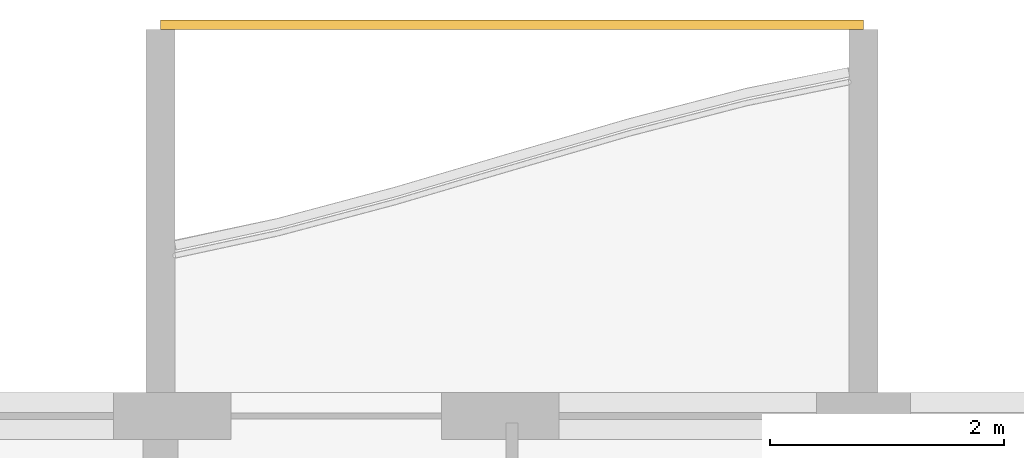
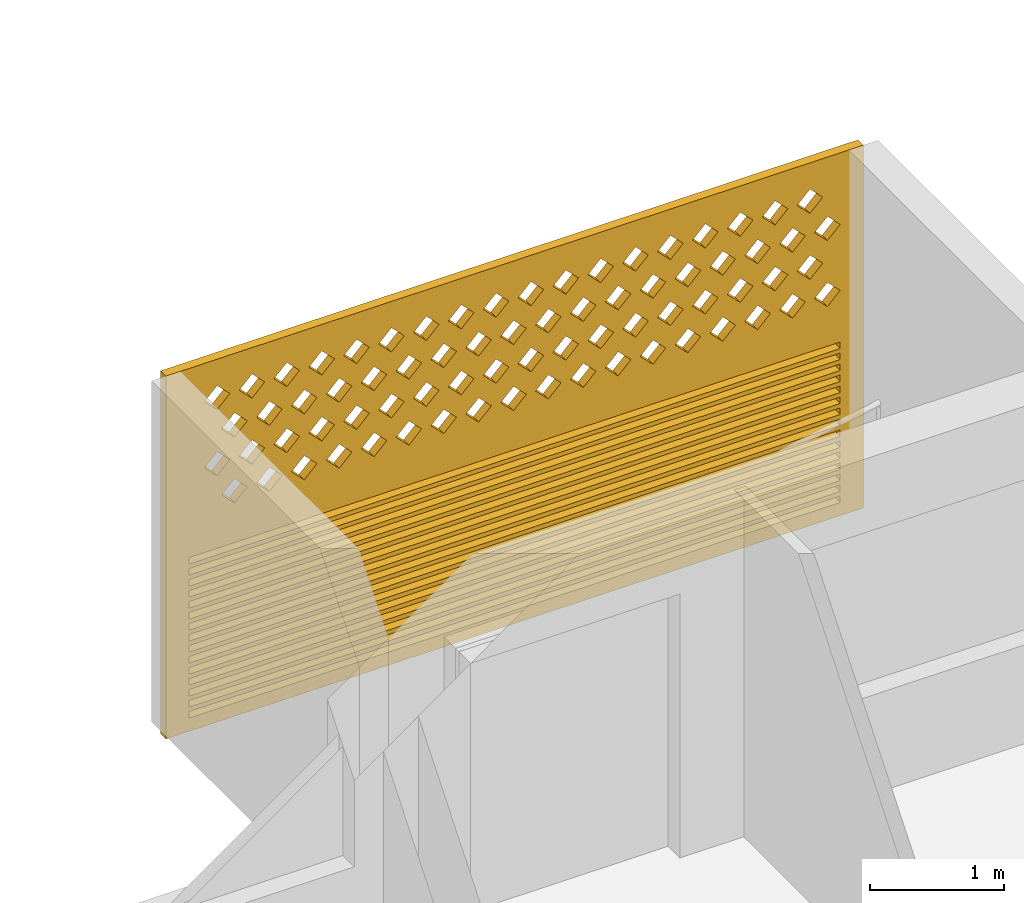
# One storey, part 26 of 32: 1 covering.
"""IFC4 building model written with IfcOpenShell, lengths in metres."""

from ifc_helpers import new_model, si_unit, direction, frame, origin, place, context, subcontext, project, spatial, polyline, outline, extrude, source, transform, mapped, material, material_profile, profile_set, type_object, element, save


model = new_model("IFC4")

# Units and contexts
model_context = context("Model", 3, precision=1e-05, world=origin(), true_north=direction((0.0, 1.0)))
body_context = subcontext(model_context, "Body", "Model", "MODEL_VIEW")
ifc_project = project(units=[si_unit("LENGTHUNIT", "METRE"), si_unit("AREAUNIT", "SQUARE_METRE"), si_unit("VOLUMEUNIT", "CUBIC_METRE"), si_unit("PLANEANGLEUNIT", "RADIAN"), si_unit("MASSUNIT", "GRAM", prefix="KILO")], contexts=[model_context])

# Site, building, storey
site_placement = place(None, origin())
site = spatial("IfcSite", under=ifc_project, at=site_placement, CompositionType="ELEMENT")
building_placement = place(site_placement, origin())
building = spatial("IfcBuilding", under=site, at=building_placement, Name="Poui Terraces", CompositionType="ELEMENT")
storey_placement = place(building_placement, frame((0.0, 0.0, 129.0)))
storey = spatial("IfcBuildingStorey", under=building, at=storey_placement, Name="L35", CompositionType="ELEMENT", Elevation=129.0)

# Covering
ifc_material = material(Name="Terracotta screen", Category="masonry")
ifc_material_profile = material_profile(ifc_material, outline(polyline([(-3.0, -1.64990234375), (3.0, -1.64990234375), (3.0, 1.64990234375), (-3.0, 1.64990234375), (-3.0, -1.64990234375)]), holes=[polyline([(-2.800048828125, 0.39990234375), (-2.68994140625, 0.2900390625), (-2.580078125, 0.39990234375), (-2.68994140625, 0.510009765625), (-2.800048828125, 0.39990234375)]), polyline([(-2.5, 0.39990234375), (-2.389892578125, 0.2900390625), (-2.280029296875, 0.39990234375), (-2.389892578125, 0.510009765625), (-2.5, 0.39990234375)]), polyline([(-2.199951171875, 0.39990234375), (-2.090087890625, 0.2900390625), (-1.97998046875, 0.39990234375), (-2.090087890625, 0.510009765625), (-2.199951171875, 0.39990234375)]), polyline([(-1.89990234375, 0.39990234375), (-1.7900390625, 0.2900390625), (-1.679931640625, 0.39990234375), (-1.7900390625, 0.510009765625), (-1.89990234375, 0.39990234375)]), polyline([(-1.60009765625, 0.39990234375), (-1.489990234375, 0.2900390625), (-1.3798828125, 0.39990234375), (-1.489990234375, 0.510009765625), (-1.60009765625, 0.39990234375)]), polyline([(-1.300048828125, 0.39990234375), (-1.18994140625, 0.2900390625), (-1.080078125, 0.39990234375), (-1.18994140625, 0.510009765625), (-1.300048828125, 0.39990234375)]), polyline([(-1.0, 0.39990234375), (-0.889892578125, 0.2900390625), (-0.780029296875, 0.39990234375), (-0.889892578125, 0.510009765625), (-1.0, 0.39990234375)]), polyline([(-0.699951171875, 0.39990234375), (-0.590087890625, 0.2900390625), (-0.47998046875, 0.39990234375), (-0.590087890625, 0.510009765625), (-0.699951171875, 0.39990234375)]), polyline([(-0.39990234375, 0.39990234375), (-0.2900390625, 0.2900390625), (-0.179931640625, 0.39990234375), (-0.2900390625, 0.510009765625), (-0.39990234375, 0.39990234375)]), polyline([(-0.10009765625, 0.39990234375), (0.010009765625, 0.2900390625), (0.1201171875, 0.39990234375), (0.010009765625, 0.510009765625), (-0.10009765625, 0.39990234375)]), polyline([(0.199951171875, 0.39990234375), (0.31005859375, 0.2900390625), (0.419921875, 0.39990234375), (0.31005859375, 0.510009765625), (0.199951171875, 0.39990234375)]), polyline([(0.5, 0.39990234375), (0.610107421875, 0.2900390625), (0.719970703125, 0.39990234375), (0.610107421875, 0.510009765625), (0.5, 0.39990234375)]), polyline([(0.800048828125, 0.39990234375), (0.909912109375, 0.2900390625), (1.02001953125, 0.39990234375), (0.909912109375, 0.510009765625), (0.800048828125, 0.39990234375)]), polyline([(1.10009765625, 0.39990234375), (1.2099609375, 0.2900390625), (1.320068359375, 0.39990234375), (1.2099609375, 0.510009765625), (1.10009765625, 0.39990234375)]), polyline([(1.39990234375, 0.39990234375), (1.510009765625, 0.2900390625), (1.6201171875, 0.39990234375), (1.510009765625, 0.510009765625), (1.39990234375, 0.39990234375)]), polyline([(1.699951171875, 0.39990234375), (1.81005859375, 0.2900390625), (1.919921875, 0.39990234375), (1.81005859375, 0.510009765625), (1.699951171875, 0.39990234375)]), polyline([(2.0, 0.39990234375), (2.110107421875, 0.2900390625), (2.219970703125, 0.39990234375), (2.110107421875, 0.510009765625), (2.0, 0.39990234375)]), polyline([(2.300048828125, 0.39990234375), (2.409912109375, 0.2900390625), (2.52001953125, 0.39990234375), (2.409912109375, 0.510009765625), (2.300048828125, 0.39990234375)]), polyline([(-2.64990234375, 0.699951171875), (-2.5400390625, 0.590087890625), (-2.429931640625, 0.699951171875), (-2.5400390625, 0.81005859375), (-2.64990234375, 0.699951171875)]), polyline([(-2.35009765625, 0.699951171875), (-2.239990234375, 0.590087890625), (-2.1298828125, 0.699951171875), (-2.239990234375, 0.81005859375), (-2.35009765625, 0.699951171875)]), polyline([(-2.050048828125, 0.699951171875), (-1.93994140625, 0.590087890625), (-1.830078125, 0.699951171875), (-1.93994140625, 0.81005859375), (-2.050048828125, 0.699951171875)]), polyline([(-1.75, 0.699951171875), (-1.639892578125, 0.590087890625), (-1.530029296875, 0.699951171875), (-1.639892578125, 0.81005859375), (-1.75, 0.699951171875)]), polyline([(-1.449951171875, 0.699951171875), (-1.340087890625, 0.590087890625), (-1.22998046875, 0.699951171875), (-1.340087890625, 0.81005859375), (-1.449951171875, 0.699951171875)]), polyline([(-1.14990234375, 0.699951171875), (-1.0400390625, 0.590087890625), (-0.929931640625, 0.699951171875), (-1.0400390625, 0.81005859375), (-1.14990234375, 0.699951171875)]), polyline([(-0.85009765625, 0.699951171875), (-0.739990234375, 0.590087890625), (-0.6298828125, 0.699951171875), (-0.739990234375, 0.81005859375), (-0.85009765625, 0.699951171875)]), polyline([(-0.550048828125, 0.699951171875), (-0.43994140625, 0.590087890625), (-0.330078125, 0.699951171875), (-0.43994140625, 0.81005859375), (-0.550048828125, 0.699951171875)]), polyline([(-0.25, 0.699951171875), (-0.139892578125, 0.590087890625), (-0.030029296875, 0.699951171875), (-0.139892578125, 0.81005859375), (-0.25, 0.699951171875)]), polyline([(0.050048828125, 0.699951171875), (0.159912109375, 0.590087890625), (0.27001953125, 0.699951171875), (0.159912109375, 0.81005859375), (0.050048828125, 0.699951171875)]), polyline([(0.35009765625, 0.699951171875), (0.4599609375, 0.590087890625), (0.570068359375, 0.699951171875), (0.4599609375, 0.81005859375), (0.35009765625, 0.699951171875)]), polyline([(0.64990234375, 0.699951171875), (0.760009765625, 0.590087890625), (0.8701171875, 0.699951171875), (0.760009765625, 0.81005859375), (0.64990234375, 0.699951171875)]), polyline([(0.949951171875, 0.699951171875), (1.06005859375, 0.590087890625), (1.169921875, 0.699951171875), (1.06005859375, 0.81005859375), (0.949951171875, 0.699951171875)]), polyline([(1.25, 0.699951171875), (1.360107421875, 0.590087890625), (1.469970703125, 0.699951171875), (1.360107421875, 0.81005859375), (1.25, 0.699951171875)]), polyline([(1.550048828125, 0.699951171875), (1.659912109375, 0.590087890625), (1.77001953125, 0.699951171875), (1.659912109375, 0.81005859375), (1.550048828125, 0.699951171875)]), polyline([(1.85009765625, 0.699951171875), (1.9599609375, 0.590087890625), (2.070068359375, 0.699951171875), (1.9599609375, 0.81005859375), (1.85009765625, 0.699951171875)]), polyline([(2.14990234375, 0.699951171875), (2.260009765625, 0.590087890625), (2.3701171875, 0.699951171875), (2.260009765625, 0.81005859375), (2.14990234375, 0.699951171875)]), polyline([(2.449951171875, 0.699951171875), (2.56005859375, 0.590087890625), (2.669921875, 0.699951171875), (2.56005859375, 0.81005859375), (2.449951171875, 0.699951171875)]), polyline([(-2.800048828125, 1.0), (-2.68994140625, 0.889892578125), (-2.580078125, 1.0), (-2.68994140625, 1.110107421875), (-2.800048828125, 1.0)]), polyline([(-2.5, 1.0), (-2.389892578125, 0.889892578125), (-2.280029296875, 1.0), (-2.389892578125, 1.110107421875), (-2.5, 1.0)]), polyline([(-2.199951171875, 1.0), (-2.090087890625, 0.889892578125), (-1.97998046875, 1.0), (-2.090087890625, 1.110107421875), (-2.199951171875, 1.0)]), polyline([(-1.89990234375, 1.0), (-1.7900390625, 0.889892578125), (-1.679931640625, 1.0), (-1.7900390625, 1.110107421875), (-1.89990234375, 1.0)]), polyline([(-1.60009765625, 1.0), (-1.489990234375, 0.889892578125), (-1.3798828125, 1.0), (-1.489990234375, 1.110107421875), (-1.60009765625, 1.0)]), polyline([(-1.300048828125, 1.0), (-1.18994140625, 0.889892578125), (-1.080078125, 1.0), (-1.18994140625, 1.110107421875), (-1.300048828125, 1.0)]), polyline([(-1.0, 1.0), (-0.889892578125, 0.889892578125), (-0.780029296875, 1.0), (-0.889892578125, 1.110107421875), (-1.0, 1.0)]), polyline([(-0.699951171875, 1.0), (-0.590087890625, 0.889892578125), (-0.47998046875, 1.0), (-0.590087890625, 1.110107421875), (-0.699951171875, 1.0)]), polyline([(-0.39990234375, 1.0), (-0.2900390625, 0.889892578125), (-0.179931640625, 1.0), (-0.2900390625, 1.110107421875), (-0.39990234375, 1.0)]), polyline([(-0.10009765625, 1.0), (0.010009765625, 0.889892578125), (0.1201171875, 1.0), (0.010009765625, 1.110107421875), (-0.10009765625, 1.0)]), polyline([(0.199951171875, 1.0), (0.31005859375, 0.889892578125), (0.419921875, 1.0), (0.31005859375, 1.110107421875), (0.199951171875, 1.0)]), polyline([(0.5, 1.0), (0.610107421875, 0.889892578125), (0.719970703125, 1.0), (0.610107421875, 1.110107421875), (0.5, 1.0)]), polyline([(0.800048828125, 1.0), (0.909912109375, 0.889892578125), (1.02001953125, 1.0), (0.909912109375, 1.110107421875), (0.800048828125, 1.0)]), polyline([(1.10009765625, 1.0), (1.2099609375, 0.889892578125), (1.320068359375, 1.0), (1.2099609375, 1.110107421875), (1.10009765625, 1.0)]), polyline([(1.39990234375, 1.0), (1.510009765625, 0.889892578125), (1.6201171875, 1.0), (1.510009765625, 1.110107421875), (1.39990234375, 1.0)]), polyline([(1.699951171875, 1.0), (1.81005859375, 0.889892578125), (1.919921875, 1.0), (1.81005859375, 1.110107421875), (1.699951171875, 1.0)]), polyline([(2.0, 1.0), (2.110107421875, 0.889892578125), (2.219970703125, 1.0), (2.110107421875, 1.110107421875), (2.0, 1.0)]), polyline([(2.300048828125, 1.0), (2.409912109375, 0.889892578125), (2.52001953125, 1.0), (2.409912109375, 1.110107421875), (2.300048828125, 1.0)]), polyline([(-2.64990234375, 1.300048828125), (-2.5400390625, 1.18994140625), (-2.429931640625, 1.300048828125), (-2.5400390625, 1.409912109375), (-2.64990234375, 1.300048828125)]), polyline([(-2.35009765625, 1.300048828125), (-2.239990234375, 1.18994140625), (-2.1298828125, 1.300048828125), (-2.239990234375, 1.409912109375), (-2.35009765625, 1.300048828125)]), polyline([(-2.050048828125, 1.300048828125), (-1.93994140625, 1.18994140625), (-1.830078125, 1.300048828125), (-1.93994140625, 1.409912109375), (-2.050048828125, 1.300048828125)]), polyline([(-1.75, 1.300048828125), (-1.639892578125, 1.18994140625), (-1.530029296875, 1.300048828125), (-1.639892578125, 1.409912109375), (-1.75, 1.300048828125)]), polyline([(-1.449951171875, 1.300048828125), (-1.340087890625, 1.18994140625), (-1.22998046875, 1.300048828125), (-1.340087890625, 1.409912109375), (-1.449951171875, 1.300048828125)]), polyline([(-1.14990234375, 1.300048828125), (-1.0400390625, 1.18994140625), (-0.929931640625, 1.300048828125), (-1.0400390625, 1.409912109375), (-1.14990234375, 1.300048828125)]), polyline([(-0.85009765625, 1.300048828125), (-0.739990234375, 1.18994140625), (-0.6298828125, 1.300048828125), (-0.739990234375, 1.409912109375), (-0.85009765625, 1.300048828125)]), polyline([(-0.550048828125, 1.300048828125), (-0.43994140625, 1.18994140625), (-0.330078125, 1.300048828125), (-0.43994140625, 1.409912109375), (-0.550048828125, 1.300048828125)]), polyline([(-0.25, 1.300048828125), (-0.139892578125, 1.18994140625), (-0.030029296875, 1.300048828125), (-0.139892578125, 1.409912109375), (-0.25, 1.300048828125)]), polyline([(0.050048828125, 1.300048828125), (0.159912109375, 1.18994140625), (0.27001953125, 1.300048828125), (0.159912109375, 1.409912109375), (0.050048828125, 1.300048828125)]), polyline([(0.35009765625, 1.300048828125), (0.4599609375, 1.18994140625), (0.570068359375, 1.300048828125), (0.4599609375, 1.409912109375), (0.35009765625, 1.300048828125)]), polyline([(0.64990234375, 1.300048828125), (0.760009765625, 1.18994140625), (0.8701171875, 1.300048828125), (0.760009765625, 1.409912109375), (0.64990234375, 1.300048828125)]), polyline([(0.949951171875, 1.300048828125), (1.06005859375, 1.18994140625), (1.169921875, 1.300048828125), (1.06005859375, 1.409912109375), (0.949951171875, 1.300048828125)]), polyline([(1.25, 1.300048828125), (1.360107421875, 1.18994140625), (1.469970703125, 1.300048828125), (1.360107421875, 1.409912109375), (1.25, 1.300048828125)]), polyline([(1.550048828125, 1.300048828125), (1.659912109375, 1.18994140625), (1.77001953125, 1.300048828125), (1.659912109375, 1.409912109375), (1.550048828125, 1.300048828125)]), polyline([(1.85009765625, 1.300048828125), (1.9599609375, 1.18994140625), (2.070068359375, 1.300048828125), (1.9599609375, 1.409912109375), (1.85009765625, 1.300048828125)]), polyline([(2.14990234375, 1.300048828125), (2.260009765625, 1.18994140625), (2.3701171875, 1.300048828125), (2.260009765625, 1.409912109375), (2.14990234375, 1.300048828125)]), polyline([(2.449951171875, 1.300048828125), (2.56005859375, 1.18994140625), (2.669921875, 1.300048828125), (2.56005859375, 1.409912109375), (2.449951171875, 1.300048828125)]), polyline([(-2.800048828125, -1.530029296875), (2.800048828125, -1.530029296875), (2.800048828125, -1.469970703125), (-2.800048828125, -1.469970703125), (-2.800048828125, -1.530029296875)]), polyline([(-2.800048828125, -1.429931640625), (2.800048828125, -1.429931640625), (2.800048828125, -1.3701171875), (-2.800048828125, -1.3701171875), (-2.800048828125, -1.429931640625)]), polyline([(-2.800048828125, -1.330078125), (2.800048828125, -1.330078125), (2.800048828125, -1.27001953125), (-2.800048828125, -1.27001953125), (-2.800048828125, -1.330078125)]), polyline([(-2.800048828125, -1.22998046875), (2.800048828125, -1.22998046875), (2.800048828125, -1.169921875), (-2.800048828125, -1.169921875), (-2.800048828125, -1.22998046875)]), polyline([(-2.800048828125, -1.1298828125), (2.800048828125, -1.1298828125), (2.800048828125, -1.070068359375), (-2.800048828125, -1.070068359375), (-2.800048828125, -1.1298828125)]), polyline([(-2.800048828125, -1.030029296875), (2.800048828125, -1.030029296875), (2.800048828125, -0.969970703125), (-2.800048828125, -0.969970703125), (-2.800048828125, -1.030029296875)]), polyline([(-2.800048828125, -0.929931640625), (2.800048828125, -0.929931640625), (2.800048828125, -0.8701171875), (-2.800048828125, -0.8701171875), (-2.800048828125, -0.929931640625)]), polyline([(-2.800048828125, -0.830078125), (2.800048828125, -0.830078125), (2.800048828125, -0.77001953125), (-2.800048828125, -0.77001953125), (-2.800048828125, -0.830078125)]), polyline([(-2.800048828125, -0.72998046875), (2.800048828125, -0.72998046875), (2.800048828125, -0.669921875), (-2.800048828125, -0.669921875), (-2.800048828125, -0.72998046875)]), polyline([(-2.800048828125, -0.6298828125), (2.800048828125, -0.6298828125), (2.800048828125, -0.570068359375), (-2.800048828125, -0.570068359375), (-2.800048828125, -0.6298828125)]), polyline([(-2.800048828125, -0.530029296875), (2.800048828125, -0.530029296875), (2.800048828125, -0.469970703125), (-2.800048828125, -0.469970703125), (-2.800048828125, -0.530029296875)]), polyline([(-2.800048828125, -0.429931640625), (2.800048828125, -0.429931640625), (2.800048828125, -0.3701171875), (-2.800048828125, -0.3701171875), (-2.800048828125, -0.429931640625)]), polyline([(-2.800048828125, -0.330078125), (2.800048828125, -0.330078125), (2.800048828125, -0.27001953125), (-2.800048828125, -0.27001953125), (-2.800048828125, -0.330078125)]), polyline([(-2.800048828125, -0.22998046875), (2.800048828125, -0.22998046875), (2.800048828125, -0.169921875), (-2.800048828125, -0.169921875), (-2.800048828125, -0.22998046875)]), polyline([(-2.800048828125, -0.1298828125), (2.800048828125, -0.1298828125), (2.800048828125, -0.070068359375), (-2.800048828125, -0.070068359375), (-2.800048828125, -0.1298828125)])]), Name="TERRACOTTA SCREEN AND JALOUSIE LOUVRE 6000X3300")
ifc_profile_set = profile_set([ifc_material_profile], Name="Terracotta screen")
covering_type = type_object("IfcCoveringType", Name="TERRACOTTA SCREEN AND JALOUSIE LOUVRE 6000X3300", PredefinedType="CLADDING", material=ifc_profile_set)
shared_shape = source(origin(), body_context, "Body", "SweptSolid", [
    extrude(outline(polyline([(-3.0, -1.64990234375), (3.0, -1.64990234375), (3.0, 1.64990234375), (-3.0, 1.64990234375), (-3.0, -1.64990234375)]), holes=[polyline([(-2.800048828125, 0.39990234375), (-2.68994140625, 0.2900390625), (-2.580078125, 0.39990234375), (-2.68994140625, 0.510009765625), (-2.800048828125, 0.39990234375)]), polyline([(-2.5, 0.39990234375), (-2.389892578125, 0.2900390625), (-2.280029296875, 0.39990234375), (-2.389892578125, 0.510009765625), (-2.5, 0.39990234375)]), polyline([(-2.199951171875, 0.39990234375), (-2.090087890625, 0.2900390625), (-1.97998046875, 0.39990234375), (-2.090087890625, 0.510009765625), (-2.199951171875, 0.39990234375)]), polyline([(-1.89990234375, 0.39990234375), (-1.7900390625, 0.2900390625), (-1.679931640625, 0.39990234375), (-1.7900390625, 0.510009765625), (-1.89990234375, 0.39990234375)]), polyline([(-1.60009765625, 0.39990234375), (-1.489990234375, 0.2900390625), (-1.3798828125, 0.39990234375), (-1.489990234375, 0.510009765625), (-1.60009765625, 0.39990234375)]), polyline([(-1.300048828125, 0.39990234375), (-1.18994140625, 0.2900390625), (-1.080078125, 0.39990234375), (-1.18994140625, 0.510009765625), (-1.300048828125, 0.39990234375)]), polyline([(-1.0, 0.39990234375), (-0.889892578125, 0.2900390625), (-0.780029296875, 0.39990234375), (-0.889892578125, 0.510009765625), (-1.0, 0.39990234375)]), polyline([(-0.699951171875, 0.39990234375), (-0.590087890625, 0.2900390625), (-0.47998046875, 0.39990234375), (-0.590087890625, 0.510009765625), (-0.699951171875, 0.39990234375)]), polyline([(-0.39990234375, 0.39990234375), (-0.2900390625, 0.2900390625), (-0.179931640625, 0.39990234375), (-0.2900390625, 0.510009765625), (-0.39990234375, 0.39990234375)]), polyline([(-0.10009765625, 0.39990234375), (0.010009765625, 0.2900390625), (0.1201171875, 0.39990234375), (0.010009765625, 0.510009765625), (-0.10009765625, 0.39990234375)]), polyline([(0.199951171875, 0.39990234375), (0.31005859375, 0.2900390625), (0.419921875, 0.39990234375), (0.31005859375, 0.510009765625), (0.199951171875, 0.39990234375)]), polyline([(0.5, 0.39990234375), (0.610107421875, 0.2900390625), (0.719970703125, 0.39990234375), (0.610107421875, 0.510009765625), (0.5, 0.39990234375)]), polyline([(0.800048828125, 0.39990234375), (0.909912109375, 0.2900390625), (1.02001953125, 0.39990234375), (0.909912109375, 0.510009765625), (0.800048828125, 0.39990234375)]), polyline([(1.10009765625, 0.39990234375), (1.2099609375, 0.2900390625), (1.320068359375, 0.39990234375), (1.2099609375, 0.510009765625), (1.10009765625, 0.39990234375)]), polyline([(1.39990234375, 0.39990234375), (1.510009765625, 0.2900390625), (1.6201171875, 0.39990234375), (1.510009765625, 0.510009765625), (1.39990234375, 0.39990234375)]), polyline([(1.699951171875, 0.39990234375), (1.81005859375, 0.2900390625), (1.919921875, 0.39990234375), (1.81005859375, 0.510009765625), (1.699951171875, 0.39990234375)]), polyline([(2.0, 0.39990234375), (2.110107421875, 0.2900390625), (2.219970703125, 0.39990234375), (2.110107421875, 0.510009765625), (2.0, 0.39990234375)]), polyline([(2.300048828125, 0.39990234375), (2.409912109375, 0.2900390625), (2.52001953125, 0.39990234375), (2.409912109375, 0.510009765625), (2.300048828125, 0.39990234375)]), polyline([(-2.64990234375, 0.699951171875), (-2.5400390625, 0.590087890625), (-2.429931640625, 0.699951171875), (-2.5400390625, 0.81005859375), (-2.64990234375, 0.699951171875)]), polyline([(-2.35009765625, 0.699951171875), (-2.239990234375, 0.590087890625), (-2.1298828125, 0.699951171875), (-2.239990234375, 0.81005859375), (-2.35009765625, 0.699951171875)]), polyline([(-2.050048828125, 0.699951171875), (-1.93994140625, 0.590087890625), (-1.830078125, 0.699951171875), (-1.93994140625, 0.81005859375), (-2.050048828125, 0.699951171875)]), polyline([(-1.75, 0.699951171875), (-1.639892578125, 0.590087890625), (-1.530029296875, 0.699951171875), (-1.639892578125, 0.81005859375), (-1.75, 0.699951171875)]), polyline([(-1.449951171875, 0.699951171875), (-1.340087890625, 0.590087890625), (-1.22998046875, 0.699951171875), (-1.340087890625, 0.81005859375), (-1.449951171875, 0.699951171875)]), polyline([(-1.14990234375, 0.699951171875), (-1.0400390625, 0.590087890625), (-0.929931640625, 0.699951171875), (-1.0400390625, 0.81005859375), (-1.14990234375, 0.699951171875)]), polyline([(-0.85009765625, 0.699951171875), (-0.739990234375, 0.590087890625), (-0.6298828125, 0.699951171875), (-0.739990234375, 0.81005859375), (-0.85009765625, 0.699951171875)]), polyline([(-0.550048828125, 0.699951171875), (-0.43994140625, 0.590087890625), (-0.330078125, 0.699951171875), (-0.43994140625, 0.81005859375), (-0.550048828125, 0.699951171875)]), polyline([(-0.25, 0.699951171875), (-0.139892578125, 0.590087890625), (-0.030029296875, 0.699951171875), (-0.139892578125, 0.81005859375), (-0.25, 0.699951171875)]), polyline([(0.050048828125, 0.699951171875), (0.159912109375, 0.590087890625), (0.27001953125, 0.699951171875), (0.159912109375, 0.81005859375), (0.050048828125, 0.699951171875)]), polyline([(0.35009765625, 0.699951171875), (0.4599609375, 0.590087890625), (0.570068359375, 0.699951171875), (0.4599609375, 0.81005859375), (0.35009765625, 0.699951171875)]), polyline([(0.64990234375, 0.699951171875), (0.760009765625, 0.590087890625), (0.8701171875, 0.699951171875), (0.760009765625, 0.81005859375), (0.64990234375, 0.699951171875)]), polyline([(0.949951171875, 0.699951171875), (1.06005859375, 0.590087890625), (1.169921875, 0.699951171875), (1.06005859375, 0.81005859375), (0.949951171875, 0.699951171875)]), polyline([(1.25, 0.699951171875), (1.360107421875, 0.590087890625), (1.469970703125, 0.699951171875), (1.360107421875, 0.81005859375), (1.25, 0.699951171875)]), polyline([(1.550048828125, 0.699951171875), (1.659912109375, 0.590087890625), (1.77001953125, 0.699951171875), (1.659912109375, 0.81005859375), (1.550048828125, 0.699951171875)]), polyline([(1.85009765625, 0.699951171875), (1.9599609375, 0.590087890625), (2.070068359375, 0.699951171875), (1.9599609375, 0.81005859375), (1.85009765625, 0.699951171875)]), polyline([(2.14990234375, 0.699951171875), (2.260009765625, 0.590087890625), (2.3701171875, 0.699951171875), (2.260009765625, 0.81005859375), (2.14990234375, 0.699951171875)]), polyline([(2.449951171875, 0.699951171875), (2.56005859375, 0.590087890625), (2.669921875, 0.699951171875), (2.56005859375, 0.81005859375), (2.449951171875, 0.699951171875)]), polyline([(-2.800048828125, 1.0), (-2.68994140625, 0.889892578125), (-2.580078125, 1.0), (-2.68994140625, 1.110107421875), (-2.800048828125, 1.0)]), polyline([(-2.5, 1.0), (-2.389892578125, 0.889892578125), (-2.280029296875, 1.0), (-2.389892578125, 1.110107421875), (-2.5, 1.0)]), polyline([(-2.199951171875, 1.0), (-2.090087890625, 0.889892578125), (-1.97998046875, 1.0), (-2.090087890625, 1.110107421875), (-2.199951171875, 1.0)]), polyline([(-1.89990234375, 1.0), (-1.7900390625, 0.889892578125), (-1.679931640625, 1.0), (-1.7900390625, 1.110107421875), (-1.89990234375, 1.0)]), polyline([(-1.60009765625, 1.0), (-1.489990234375, 0.889892578125), (-1.3798828125, 1.0), (-1.489990234375, 1.110107421875), (-1.60009765625, 1.0)]), polyline([(-1.300048828125, 1.0), (-1.18994140625, 0.889892578125), (-1.080078125, 1.0), (-1.18994140625, 1.110107421875), (-1.300048828125, 1.0)]), polyline([(-1.0, 1.0), (-0.889892578125, 0.889892578125), (-0.780029296875, 1.0), (-0.889892578125, 1.110107421875), (-1.0, 1.0)]), polyline([(-0.699951171875, 1.0), (-0.590087890625, 0.889892578125), (-0.47998046875, 1.0), (-0.590087890625, 1.110107421875), (-0.699951171875, 1.0)]), polyline([(-0.39990234375, 1.0), (-0.2900390625, 0.889892578125), (-0.179931640625, 1.0), (-0.2900390625, 1.110107421875), (-0.39990234375, 1.0)]), polyline([(-0.10009765625, 1.0), (0.010009765625, 0.889892578125), (0.1201171875, 1.0), (0.010009765625, 1.110107421875), (-0.10009765625, 1.0)]), polyline([(0.199951171875, 1.0), (0.31005859375, 0.889892578125), (0.419921875, 1.0), (0.31005859375, 1.110107421875), (0.199951171875, 1.0)]), polyline([(0.5, 1.0), (0.610107421875, 0.889892578125), (0.719970703125, 1.0), (0.610107421875, 1.110107421875), (0.5, 1.0)]), polyline([(0.800048828125, 1.0), (0.909912109375, 0.889892578125), (1.02001953125, 1.0), (0.909912109375, 1.110107421875), (0.800048828125, 1.0)]), polyline([(1.10009765625, 1.0), (1.2099609375, 0.889892578125), (1.320068359375, 1.0), (1.2099609375, 1.110107421875), (1.10009765625, 1.0)]), polyline([(1.39990234375, 1.0), (1.510009765625, 0.889892578125), (1.6201171875, 1.0), (1.510009765625, 1.110107421875), (1.39990234375, 1.0)]), polyline([(1.699951171875, 1.0), (1.81005859375, 0.889892578125), (1.919921875, 1.0), (1.81005859375, 1.110107421875), (1.699951171875, 1.0)]), polyline([(2.0, 1.0), (2.110107421875, 0.889892578125), (2.219970703125, 1.0), (2.110107421875, 1.110107421875), (2.0, 1.0)]), polyline([(2.300048828125, 1.0), (2.409912109375, 0.889892578125), (2.52001953125, 1.0), (2.409912109375, 1.110107421875), (2.300048828125, 1.0)]), polyline([(-2.64990234375, 1.300048828125), (-2.5400390625, 1.18994140625), (-2.429931640625, 1.300048828125), (-2.5400390625, 1.409912109375), (-2.64990234375, 1.300048828125)]), polyline([(-2.35009765625, 1.300048828125), (-2.239990234375, 1.18994140625), (-2.1298828125, 1.300048828125), (-2.239990234375, 1.409912109375), (-2.35009765625, 1.300048828125)]), polyline([(-2.050048828125, 1.300048828125), (-1.93994140625, 1.18994140625), (-1.830078125, 1.300048828125), (-1.93994140625, 1.409912109375), (-2.050048828125, 1.300048828125)]), polyline([(-1.75, 1.300048828125), (-1.639892578125, 1.18994140625), (-1.530029296875, 1.300048828125), (-1.639892578125, 1.409912109375), (-1.75, 1.300048828125)]), polyline([(-1.449951171875, 1.300048828125), (-1.340087890625, 1.18994140625), (-1.22998046875, 1.300048828125), (-1.340087890625, 1.409912109375), (-1.449951171875, 1.300048828125)]), polyline([(-1.14990234375, 1.300048828125), (-1.0400390625, 1.18994140625), (-0.929931640625, 1.300048828125), (-1.0400390625, 1.409912109375), (-1.14990234375, 1.300048828125)]), polyline([(-0.85009765625, 1.300048828125), (-0.739990234375, 1.18994140625), (-0.6298828125, 1.300048828125), (-0.739990234375, 1.409912109375), (-0.85009765625, 1.300048828125)]), polyline([(-0.550048828125, 1.300048828125), (-0.43994140625, 1.18994140625), (-0.330078125, 1.300048828125), (-0.43994140625, 1.409912109375), (-0.550048828125, 1.300048828125)]), polyline([(-0.25, 1.300048828125), (-0.139892578125, 1.18994140625), (-0.030029296875, 1.300048828125), (-0.139892578125, 1.409912109375), (-0.25, 1.300048828125)]), polyline([(0.050048828125, 1.300048828125), (0.159912109375, 1.18994140625), (0.27001953125, 1.300048828125), (0.159912109375, 1.409912109375), (0.050048828125, 1.300048828125)]), polyline([(0.35009765625, 1.300048828125), (0.4599609375, 1.18994140625), (0.570068359375, 1.300048828125), (0.4599609375, 1.409912109375), (0.35009765625, 1.300048828125)]), polyline([(0.64990234375, 1.300048828125), (0.760009765625, 1.18994140625), (0.8701171875, 1.300048828125), (0.760009765625, 1.409912109375), (0.64990234375, 1.300048828125)]), polyline([(0.949951171875, 1.300048828125), (1.06005859375, 1.18994140625), (1.169921875, 1.300048828125), (1.06005859375, 1.409912109375), (0.949951171875, 1.300048828125)]), polyline([(1.25, 1.300048828125), (1.360107421875, 1.18994140625), (1.469970703125, 1.300048828125), (1.360107421875, 1.409912109375), (1.25, 1.300048828125)]), polyline([(1.550048828125, 1.300048828125), (1.659912109375, 1.18994140625), (1.77001953125, 1.300048828125), (1.659912109375, 1.409912109375), (1.550048828125, 1.300048828125)]), polyline([(1.85009765625, 1.300048828125), (1.9599609375, 1.18994140625), (2.070068359375, 1.300048828125), (1.9599609375, 1.409912109375), (1.85009765625, 1.300048828125)]), polyline([(2.14990234375, 1.300048828125), (2.260009765625, 1.18994140625), (2.3701171875, 1.300048828125), (2.260009765625, 1.409912109375), (2.14990234375, 1.300048828125)]), polyline([(2.449951171875, 1.300048828125), (2.56005859375, 1.18994140625), (2.669921875, 1.300048828125), (2.56005859375, 1.409912109375), (2.449951171875, 1.300048828125)]), polyline([(-2.800048828125, -1.530029296875), (2.800048828125, -1.530029296875), (2.800048828125, -1.469970703125), (-2.800048828125, -1.469970703125), (-2.800048828125, -1.530029296875)]), polyline([(-2.800048828125, -1.429931640625), (2.800048828125, -1.429931640625), (2.800048828125, -1.3701171875), (-2.800048828125, -1.3701171875), (-2.800048828125, -1.429931640625)]), polyline([(-2.800048828125, -1.330078125), (2.800048828125, -1.330078125), (2.800048828125, -1.27001953125), (-2.800048828125, -1.27001953125), (-2.800048828125, -1.330078125)]), polyline([(-2.800048828125, -1.22998046875), (2.800048828125, -1.22998046875), (2.800048828125, -1.169921875), (-2.800048828125, -1.169921875), (-2.800048828125, -1.22998046875)]), polyline([(-2.800048828125, -1.1298828125), (2.800048828125, -1.1298828125), (2.800048828125, -1.070068359375), (-2.800048828125, -1.070068359375), (-2.800048828125, -1.1298828125)]), polyline([(-2.800048828125, -1.030029296875), (2.800048828125, -1.030029296875), (2.800048828125, -0.969970703125), (-2.800048828125, -0.969970703125), (-2.800048828125, -1.030029296875)]), polyline([(-2.800048828125, -0.929931640625), (2.800048828125, -0.929931640625), (2.800048828125, -0.8701171875), (-2.800048828125, -0.8701171875), (-2.800048828125, -0.929931640625)]), polyline([(-2.800048828125, -0.830078125), (2.800048828125, -0.830078125), (2.800048828125, -0.77001953125), (-2.800048828125, -0.77001953125), (-2.800048828125, -0.830078125)]), polyline([(-2.800048828125, -0.72998046875), (2.800048828125, -0.72998046875), (2.800048828125, -0.669921875), (-2.800048828125, -0.669921875), (-2.800048828125, -0.72998046875)]), polyline([(-2.800048828125, -0.6298828125), (2.800048828125, -0.6298828125), (2.800048828125, -0.570068359375), (-2.800048828125, -0.570068359375), (-2.800048828125, -0.6298828125)]), polyline([(-2.800048828125, -0.530029296875), (2.800048828125, -0.530029296875), (2.800048828125, -0.469970703125), (-2.800048828125, -0.469970703125), (-2.800048828125, -0.530029296875)]), polyline([(-2.800048828125, -0.429931640625), (2.800048828125, -0.429931640625), (2.800048828125, -0.3701171875), (-2.800048828125, -0.3701171875), (-2.800048828125, -0.429931640625)]), polyline([(-2.800048828125, -0.330078125), (2.800048828125, -0.330078125), (2.800048828125, -0.27001953125), (-2.800048828125, -0.27001953125), (-2.800048828125, -0.330078125)]), polyline([(-2.800048828125, -0.22998046875), (2.800048828125, -0.22998046875), (2.800048828125, -0.169921875), (-2.800048828125, -0.169921875), (-2.800048828125, -0.22998046875)]), polyline([(-2.800048828125, -0.1298828125), (2.800048828125, -0.1298828125), (2.800048828125, -0.070068359375), (-2.800048828125, -0.070068359375), (-2.800048828125, -0.1298828125)])]), origin(), (0.0, 0.0, 1.0), 0.080078125),
])
covering_placement = place(storey_placement, frame((51.0, 45.699951171875, 1.449951171875), z_axis=(0.0, 1.0, 0.0), x_axis=(-1.0, 0.0, 0.0)))
element("IfcCovering", 1, at=covering_placement, inside=storey, type_object=covering_type, Name="SOLAR SCREEN AND JALOUSIE LOUVRE", PredefinedType="CLADDING", context=body_context, shape_type="MappedRepresentation", body=[
    mapped(shared_shape, transform((0.0, 0.0, 0.0))),
])

save(model, "model.ifc")
